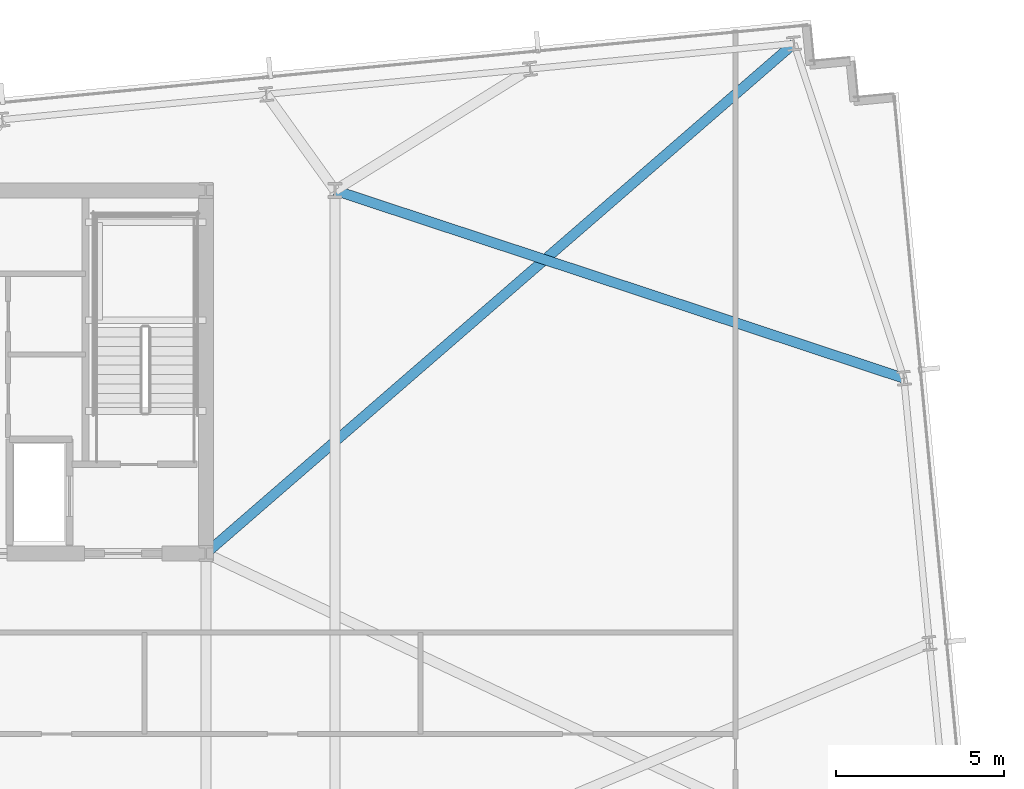
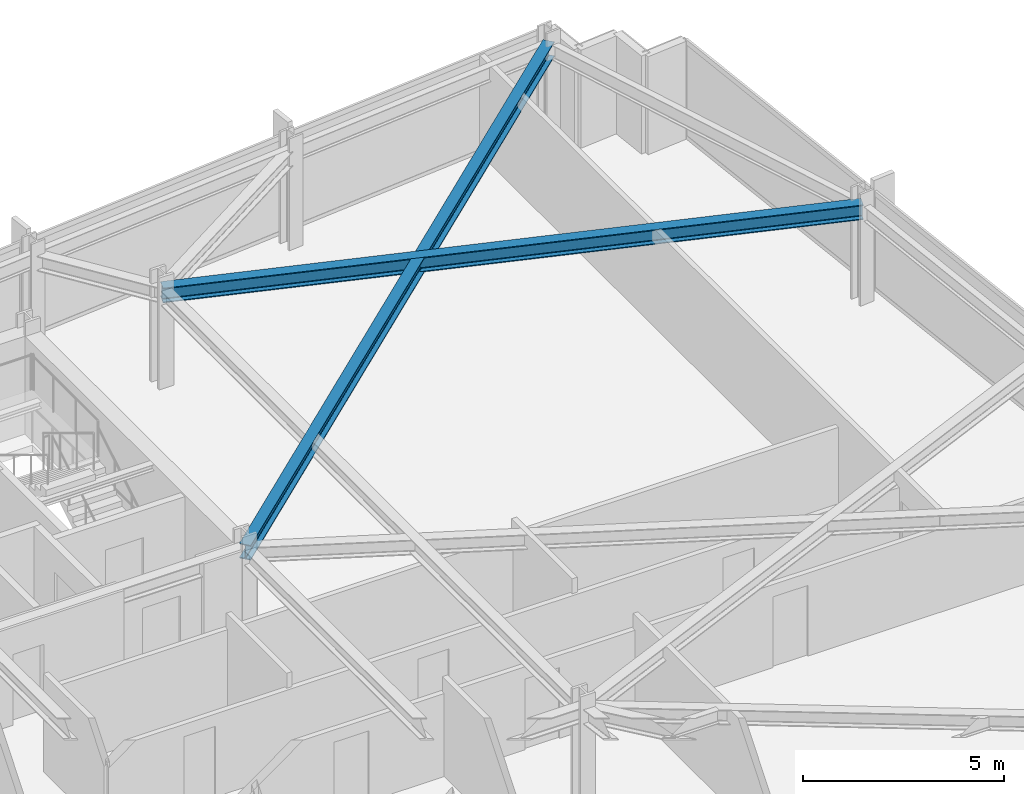
# One storey, part 22 of 32: 2 beams.
"""IFC4 building model written with IfcOpenShell, lengths in metres."""

from ifc_helpers import new_model, si_unit, direction, frame, origin, origin_2d, place, context, subcontext, project, spatial, i_section, extrude, material, material_profile, profile_set, type_object, element, save


model = new_model("IFC4")

# Units and contexts
model_context = context("Model", 3, precision=1e-05, world=origin(), true_north=direction((0.0, 1.0)))
body_context = subcontext(model_context, "Body", "Model", "MODEL_VIEW")
ifc_project = project(units=[si_unit("LENGTHUNIT", "METRE"), si_unit("AREAUNIT", "SQUARE_METRE"), si_unit("VOLUMEUNIT", "CUBIC_METRE"), si_unit("PLANEANGLEUNIT", "RADIAN"), si_unit("MASSUNIT", "GRAM", prefix="KILO")], contexts=[model_context])

# Site, building, storey
site_placement = place(None, origin())
site = spatial("IfcSite", under=ifc_project, at=site_placement, CompositionType="ELEMENT")
building_placement = place(site_placement, origin())
building = spatial("IfcBuilding", under=site, at=building_placement, Name="Yelkora Congress Tower", CompositionType="ELEMENT")
storey_placement = place(building_placement, frame((0.0, 0.0, 133.89990234375)))
storey = spatial("IfcBuildingStorey", under=building, at=storey_placement, Name="L36", CompositionType="ELEMENT", Elevation=133.89990234375)

# Beams
ifc_material = material(Name="Steel S355J2", Category="steel")
ifc_material_profile = material_profile(ifc_material, i_section(OverallWidth=0.300048828125, OverallDepth=0.449951171875, WebThickness=0.013916015625, FlangeThickness=0.02587890625, FilletRadius=0.027099609375, at=origin_2d()), Name="HEB 450")
ifc_profile_set = profile_set([ifc_material_profile], Name="Steel S355J2")
beam_type = type_object("IfcBeamType", Name="BM-GIRD-HEB450", PredefinedType="BEAM", material=ifc_profile_set)
beam_1_placement = place(storey_placement, frame((71.252685546875, 50.568115234375, 2.755126953125), z_axis=(-0.755520317406, -0.655125217029, 0.0), x_axis=(0.655125217029, -0.755520317406, 0.0)))
element("IfcBeam", 1, at=beam_1_placement, inside=storey, type_object=beam_type, Name="L36 Primary Frame Girder N08", PredefinedType="BEAM", context=body_context, shape_type="SweptSolid", body=[
    extrude(i_section(OverallWidth=0.300048828125, OverallDepth=0.449951171875, WebThickness=0.013916015625, FlangeThickness=0.02587890625, FilletRadius=0.027099609375, at=origin_2d()), origin(), (0.0, 0.0, 1.0), 23.153076171875),
])
beam_2_placement = place(storey_placement, frame((74.522216796875, 40.610595703125, 2.755126953125), z_axis=(-0.949544183597, 0.313633294465, 0.0), x_axis=(-0.313633294465, -0.949544183597, 0.0)))
element("IfcBeam", 2, at=beam_2_placement, inside=storey, type_object=beam_type, Name="L36 Primary Frame Girder E03", PredefinedType="BEAM", context=body_context, shape_type="SweptSolid", body=[
    extrude(i_section(OverallWidth=0.300048828125, OverallDepth=0.449951171875, WebThickness=0.013916015625, FlangeThickness=0.02587890625, FilletRadius=0.027099609375, at=origin_2d()), origin(), (0.0, 0.0, 1.0), 17.8212890625),
])

save(model, "model.ifc")
